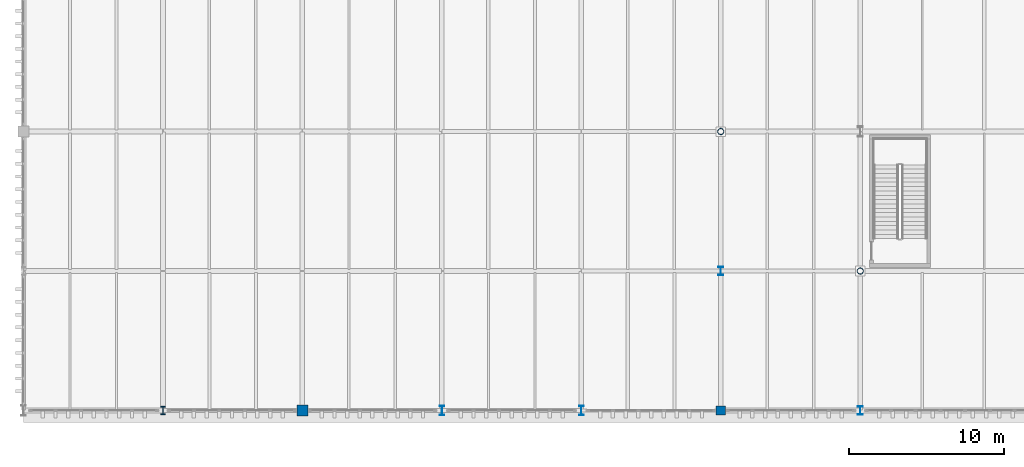
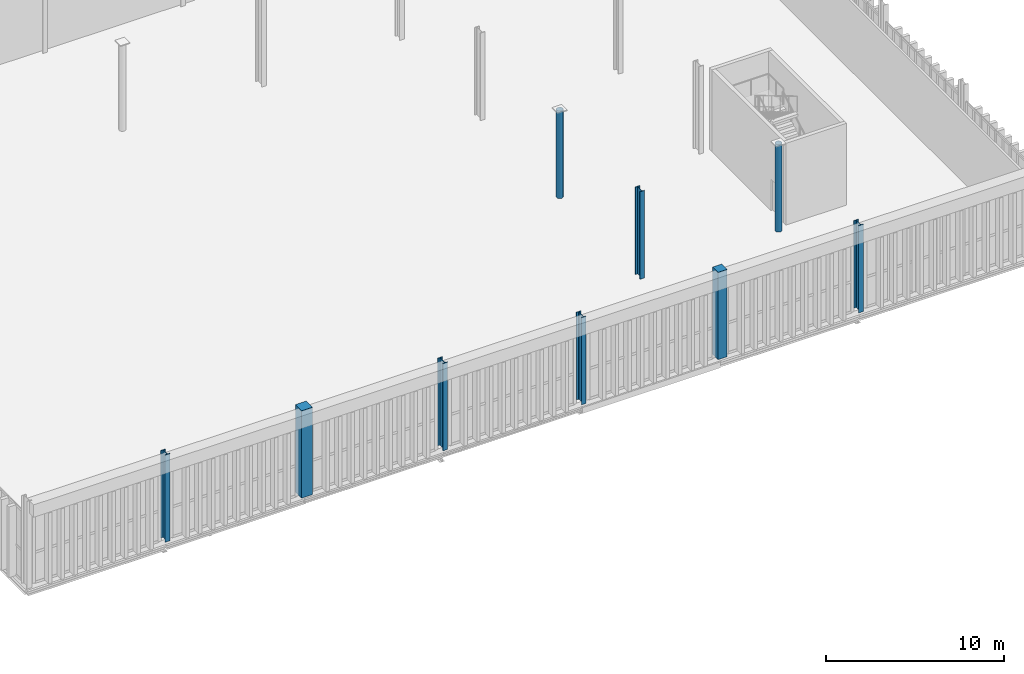
# One storey, part 13 of 237: 9 columns.
"""IFC4 building model written with IfcOpenShell, lengths in metres."""

from ifc_helpers import new_model, si_unit, direction, frame, origin, origin_2d, place, context, subcontext, project, spatial, rectangle, hollow_circle, i_section, extrude, material, material_profile, profile_set, type_object, element, save


model = new_model("IFC4")

# Units and contexts
model_context = context("Model", 3, precision=1e-05, world=origin(), true_north=direction((0.0, 1.0)))
body_context = subcontext(model_context, "Body", "Model", "MODEL_VIEW")
ifc_project = project(units=[si_unit("LENGTHUNIT", "METRE"), si_unit("AREAUNIT", "SQUARE_METRE"), si_unit("VOLUMEUNIT", "CUBIC_METRE"), si_unit("PLANEANGLEUNIT", "RADIAN"), si_unit("MASSUNIT", "GRAM", prefix="KILO")], contexts=[model_context])

# Site, building, storey
site_placement = place(None, origin())
site = spatial("IfcSite", under=ifc_project, at=site_placement, CompositionType="ELEMENT")
building_placement = place(site_placement, origin())
building = spatial("IfcBuilding", under=site, at=building_placement, Name="Barlavento Convention Centre", CompositionType="ELEMENT")
storey_placement = place(building_placement, frame((0.0, 0.0, 12.0)))
storey = spatial("IfcBuildingStorey", under=building, at=storey_placement, Name="L02", CompositionType="ELEMENT", Elevation=12.0)

# Columns
ifc_material_1 = material(Name="Steel S355", Category="steel")
ifc_material_profile_1 = material_profile(ifc_material_1, hollow_circle(Radius=0.203125, WallThickness=0.01611328125, at=origin_2d()), Name="CHS 406.4x16.0")
ifc_profile_set_1 = profile_set([ifc_material_profile_1], Name="Steel S355")
column_type_1 = type_object("IfcColumnType", Name="STR-COL-CHS406", PredefinedType="COLUMN", material=ifc_profile_set_1)
for number, where, z_axis, x_axis, name in (
    (1, (171.0, 18.0, 0.0), (0.0, 0.0, 1.0), (1.0, 0.0, 0.0), "L02 column SC14"),
    (2, (180.0, 9.0, 0.0), (0.0, 0.0, 1.0), (1.0, 0.0, 0.0), "L02 column SC14"),
):
    element("IfcColumn", number, at=place(storey_placement, frame(where, z_axis=z_axis, x_axis=x_axis)), inside=storey, type_object=column_type_1, Name=name, PredefinedType="COLUMN", context=body_context, shape_type="SweptSolid", body=[
        extrude(hollow_circle(Radius=0.203125, WallThickness=0.01611328125, at=origin_2d()), origin(), (0.0, 0.0, 1.0), 6.0),
    ])
ifc_material_profile_2 = material_profile(ifc_material_1, i_section(OverallWidth=0.300048828125, OverallDepth=0.60009765625, WebThickness=0.015380859375, FlangeThickness=0.030029296875, FilletRadius=0.027099609375, at=origin_2d()), Name="HEB 600")
ifc_profile_set_2 = profile_set([ifc_material_profile_2], Name="Steel S355")
column_type_2 = type_object("IfcColumnType", Name="STR-COL-HEB600", PredefinedType="COLUMN", material=ifc_profile_set_2)
column_1_placement = place(storey_placement, frame((162.0, 0.0, 0.0), z_axis=(0.0, 0.0, 1.0), x_axis=(1.0, 0.0, 0.0)))
element("IfcColumn", 3, at=column_1_placement, inside=storey, type_object=column_type_2, Name="L02 column SC08", PredefinedType="COLUMN", context=body_context, shape_type="SweptSolid", body=[
    extrude(i_section(OverallWidth=0.300048828125, OverallDepth=0.60009765625, WebThickness=0.015380859375, FlangeThickness=0.030029296875, FilletRadius=0.027099609375, at=origin_2d()), origin(), (0.0, 0.0, 1.0), 6.0),
])
ifc_material_profile_3 = material_profile(ifc_material_1, i_section(OverallWidth=0.305908203125, OverallDepth=0.52392578125, WebThickness=0.02099609375, FlangeThickness=0.0400390625, FilletRadius=0.027099609375, at=origin_2d()), Name="HEM 500")
ifc_profile_set_3 = profile_set([ifc_material_profile_3], Name="Steel S355")
column_type_3 = type_object("IfcColumnType", Name="STR-COL-HEM500", PredefinedType="COLUMN", material=ifc_profile_set_3)
column_2_placement = place(storey_placement, frame((135.0, 0.0, 0.0), z_axis=(0.0, 0.0, 1.0), x_axis=(1.0, 0.0, 0.0)))
element("IfcColumn", 4, at=column_2_placement, inside=storey, type_object=column_type_3, Name="L02 column SC07", PredefinedType="COLUMN", context=body_context, shape_type="SweptSolid", body=[
    extrude(i_section(OverallWidth=0.305908203125, OverallDepth=0.52392578125, WebThickness=0.02099609375, FlangeThickness=0.0400390625, FilletRadius=0.027099609375, at=origin_2d()), origin(), (0.0, 0.0, 1.0), 6.0),
])
ifc_material_profile_4 = material_profile(ifc_material_1, i_section(OverallWidth=0.305908203125, OverallDepth=0.572021484375, WebThickness=0.02099609375, FlangeThickness=0.0400390625, FilletRadius=0.027099609375, at=origin_2d()), Name="HEM 550")
ifc_profile_set_4 = profile_set([ifc_material_profile_4], Name="Steel S355")
column_type_4 = type_object("IfcColumnType", Name="STR-COL-HEM550", PredefinedType="COLUMN", material=ifc_profile_set_4)
for number, where, z_axis, x_axis, name in (
    (5, (171.0, 9.0, 0.0), (0.0, 0.0, 1.0), (1.0, 0.0, 0.0), "L02 column SC06"),
    (6, (180.0, 0.0, 0.0), (0.0, 0.0, 1.0), (1.0, 0.0, 0.0), "L02 column SC06"),
):
    element("IfcColumn", number, at=place(storey_placement, frame(where, z_axis=z_axis, x_axis=x_axis)), inside=storey, type_object=column_type_4, Name=name, PredefinedType="COLUMN", context=body_context, shape_type="SweptSolid", body=[
        extrude(i_section(OverallWidth=0.305908203125, OverallDepth=0.572021484375, WebThickness=0.02099609375, FlangeThickness=0.0400390625, FilletRadius=0.027099609375, at=origin_2d()), origin(), (0.0, 0.0, 1.0), 6.0),
    ])
ifc_material_profile_5 = material_profile(ifc_material_1, i_section(OverallWidth=0.304931640625, OverallDepth=0.6201171875, WebThickness=0.02099609375, FlangeThickness=0.0400390625, FilletRadius=0.027099609375, at=origin_2d()), Name="HEM 600")
ifc_profile_set_5 = profile_set([ifc_material_profile_5], Name="Steel S355")
column_type_5 = type_object("IfcColumnType", Name="STR-COL-HEM600", PredefinedType="COLUMN", material=ifc_profile_set_5)
column_3_placement = place(storey_placement, frame((153.0, 0.0, 0.0), z_axis=(0.0, 0.0, 1.0), x_axis=(1.0, 0.0, 0.0)))
element("IfcColumn", 7, at=column_3_placement, inside=storey, type_object=column_type_5, Name="L02 column SC05", PredefinedType="COLUMN", context=body_context, shape_type="SweptSolid", body=[
    extrude(i_section(OverallWidth=0.304931640625, OverallDepth=0.6201171875, WebThickness=0.02099609375, FlangeThickness=0.0400390625, FilletRadius=0.027099609375, at=origin_2d()), origin(), (0.0, 0.0, 1.0), 6.0),
])
ifc_material_2 = material(Name="Concrete C40/50", Category="concrete")
ifc_material_profile_6 = material_profile(ifc_material_2, rectangle(XDim=0.60009765625, YDim=0.60009765625, at=origin_2d()), Name="RC 600x600")
ifc_profile_set_6 = profile_set([ifc_material_profile_6], Name="Concrete C40/50")
column_type_6 = type_object("IfcColumnType", Name="STR-COL-RC600", PredefinedType="COLUMN", material=ifc_profile_set_6)
column_4_placement = place(storey_placement, frame((171.0, 0.0, 0.0), z_axis=(0.0, 0.0, 1.0), x_axis=(1.0, 0.0, 0.0)))
element("IfcColumn", 8, at=column_4_placement, inside=storey, type_object=column_type_6, Name="L02 column CC07", PredefinedType="COLUMN", context=body_context, shape_type="SweptSolid", body=[
    extrude(rectangle(XDim=0.60009765625, YDim=0.60009765625, at=origin_2d()), origin(), (0.0, 0.0, 1.0), 6.0),
])
ifc_material_profile_7 = material_profile(ifc_material_2, rectangle(XDim=0.699951171875, YDim=0.699951171875, at=origin_2d()), Name="RC 700x700")
ifc_profile_set_7 = profile_set([ifc_material_profile_7], Name="Concrete C40/50")
column_type_7 = type_object("IfcColumnType", Name="STR-COL-RC700", PredefinedType="COLUMN", material=ifc_profile_set_7)
column_5_placement = place(storey_placement, frame((144.0, 0.0, 0.0), z_axis=(0.0, 0.0, 1.0), x_axis=(1.0, 0.0, 0.0)))
element("IfcColumn", 9, at=column_5_placement, inside=storey, type_object=column_type_7, Name="L02 column CC06", PredefinedType="COLUMN", context=body_context, shape_type="SweptSolid", body=[
    extrude(rectangle(XDim=0.699951171875, YDim=0.699951171875, at=origin_2d()), origin(), (0.0, 0.0, 1.0), 6.0),
])

save(model, "model.ifc")
